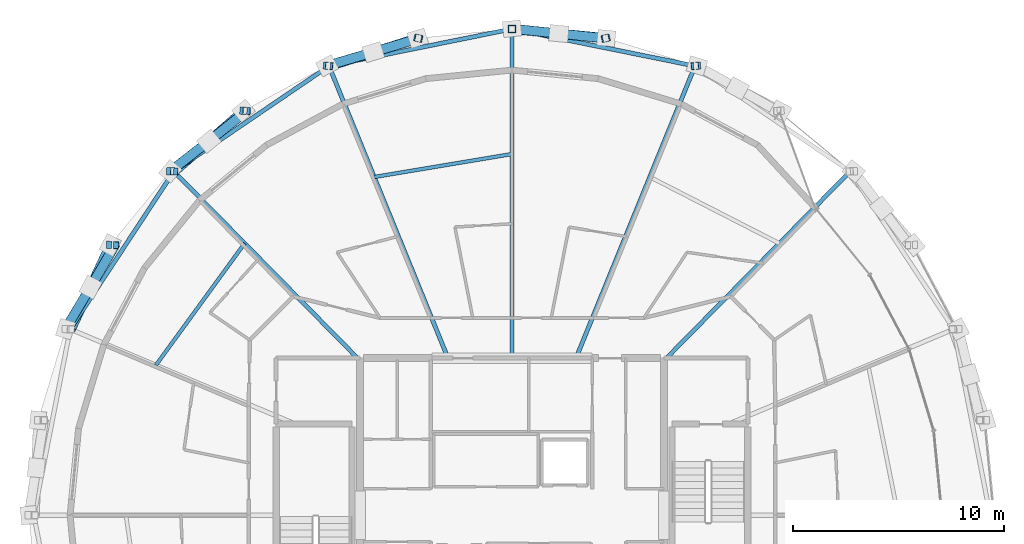
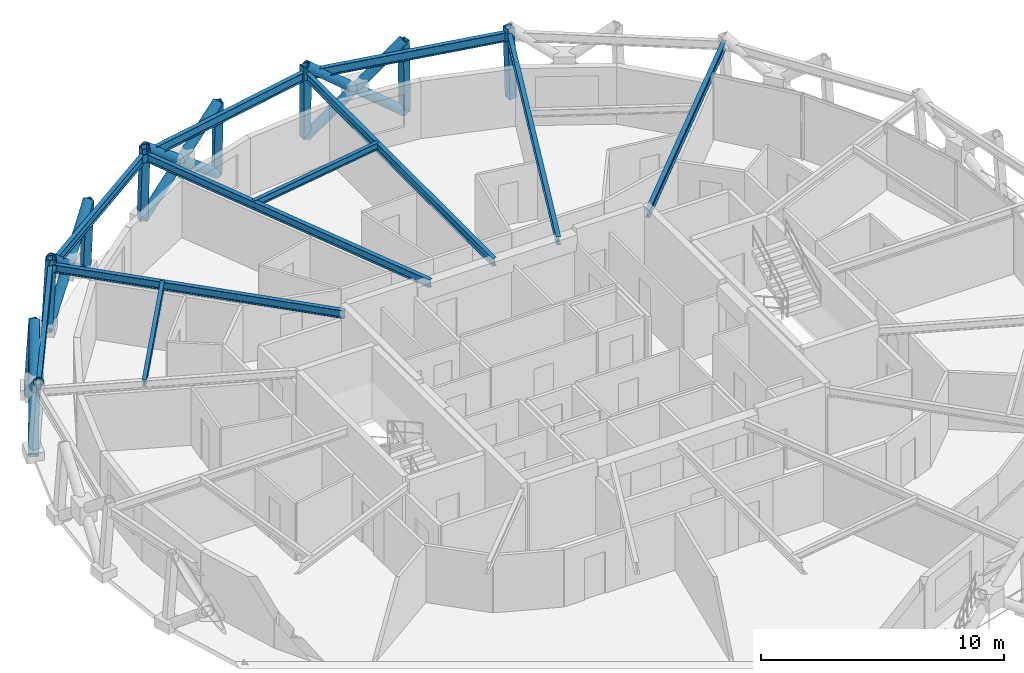
# One storey, part 7 of 15: 20 members, 11 beams.
"""IFC4 building model written with IfcOpenShell, lengths in metres."""

import ifcopenshell
import ifcopenshell.guid

model = None  # the IFC model being written
_history = None  # IfcOwnerHistory: only IFC2X3 demands one
_inside = {}  # id of a spatial element -> (the spatial element, [elements in it])
_under = {}  # id of a project, library or spatial element -> (it, [spatial elements below it])
_declared = {}  # id of a project -> (the project, [libraries it declares])
_typed = {}  # id of a type object -> (the type object, [elements of that type])
_made_of = {}  # id of a material, layer set ... -> (it, [elements and type objects made of it])


def new_model(schema):
    """Start an empty IFC model of exactly this schema.

    Asked for "IFC4X3", IfcOpenShell would pick the latest addendum, in which some entities
    have other attributes; the version numbers below select the first issue.
    IFC2X3 requires an IfcOwnerHistory on every rooted entity: one is made here for all.
    """
    global model, _history
    if schema == "IFC4X3":
        model = ifcopenshell.file(schema_version=(4, 3, 0, 0))
    else:
        model = ifcopenshell.file(schema=schema)
    _inside.clear()
    _under.clear()
    _declared.clear()
    _typed.clear()
    _made_of.clear()
    _history = None
    if model.schema == "IFC2X3":
        org = make("IfcOrganization", Name="unknown")
        user = make(
            "IfcPersonAndOrganization",
            ThePerson=make("IfcPerson", FamilyName="unknown"),
            TheOrganization=org,
        )
        app = make(
            "IfcApplication",
            ApplicationDeveloper=org,
            Version="unknown",
            ApplicationFullName="unknown",
            ApplicationIdentifier="unknown",
        )
        _history = make(
            "IfcOwnerHistory",
            OwningUser=user,
            OwningApplication=app,
            ChangeAction="ADDED",
            CreationDate=0,
        )
    return model


def make(cls, **values):
    """One entity of the class cls with the attributes given. An attribute that is None is left unset."""
    return model.create_entity(
        cls, **{name: value for name, value in values.items() if value is not None}
    )


def rooted(cls, **values):
    """An entity with a GlobalId (a new one), such as an element, a storey or a relation."""
    return make(cls, GlobalId=ifcopenshell.guid.new(), OwnerHistory=_history, **values)


def si_unit(unit_type, name, prefix=None):
    """IfcSIUnit, for example si_unit("LENGTHUNIT", "METRE", prefix="MILLI")."""
    return make("IfcSIUnit", UnitType=unit_type, Prefix=prefix, Name=name)


def assignment(units):
    """IfcUnitAssignment: the units of a project."""
    return None if units is None else make("IfcUnitAssignment", Units=units)


def point(xyz):
    """IfcCartesianPoint."""
    return None if xyz is None else make("IfcCartesianPoint", Coordinates=xyz)


def direction(xyz):
    """IfcDirection."""
    return None if xyz is None else make("IfcDirection", DirectionRatios=xyz)


def frame(location, z_axis=None, x_axis=None):
    """IfcAxis2Placement3D, a coordinate frame: its origin and axes. An axis left out is left unset."""
    return make(
        "IfcAxis2Placement3D",
        Location=point(location),
        Axis=direction(z_axis),
        RefDirection=direction(x_axis),
    )


def frame_2d(location, x_axis=None):
    """IfcAxis2Placement2D, a coordinate frame in the plane: its origin and x axis."""
    return make(
        "IfcAxis2Placement2D", Location=point(location), RefDirection=direction(x_axis)
    )


def origin():
    """The frame at (0, 0, 0) with its axes left unset."""
    return frame((0.0, 0.0, 0.0))


def origin_2d():
    """The frame at (0, 0) in the plane with its x axis left unset."""
    return frame_2d((0.0, 0.0))


def place(relative_to, where):
    """IfcLocalPlacement: puts the frame where relative to a parent placement (None: the world)."""
    return make(
        "IfcLocalPlacement", PlacementRelTo=relative_to, RelativePlacement=where
    )


def context(
    kind, dimensions, precision=None, world=None, true_north=None, identifier=None
):
    """IfcGeometricRepresentationContext, for example the 3D "Model" context."""
    return make(
        "IfcGeometricRepresentationContext",
        ContextIdentifier=identifier,
        ContextType=kind,
        CoordinateSpaceDimension=dimensions,
        Precision=precision,
        WorldCoordinateSystem=world,
        TrueNorth=true_north,
    )


def subcontext(parent, identifier, kind, view, scale=None):
    """IfcGeometricRepresentationSubContext, for example "Body" below "Model"."""
    return make(
        "IfcGeometricRepresentationSubContext",
        ContextIdentifier=identifier,
        ContextType=kind,
        ParentContext=parent,
        TargetScale=scale,
        TargetView=view,
    )


def project(units=None, contexts=None):
    """IfcProject with its units and contexts."""
    return rooted(
        "IfcProject",
        Name="project",
        RepresentationContexts=contexts,
        UnitsInContext=assignment(units),
    )


def spatial(cls, under=None, at=None, **own):
    """A site, building, storey or space (cls), placed at a placement, below another one or the project."""
    s = rooted(cls, ObjectPlacement=at, **own)
    if under is not None:
        _under.setdefault(under.id(), (under, []))[1].append(s)
    return s


def profile(cls, at=None, kind="AREA", **sizes):
    """A parametric profile (cls). Its sizes go by their IFC names, for example OverallWidth=200.0."""
    return make(cls, ProfileType=kind, Position=at, **sizes)


def hollow_rectangle(**sizes):
    """IfcRectangleHollowProfileDef."""
    return profile("IfcRectangleHollowProfileDef", **sizes)


def hollow_circle(**sizes):
    """IfcCircleHollowProfileDef."""
    return profile("IfcCircleHollowProfileDef", **sizes)


def i_section(**sizes):
    """IfcIShapeProfileDef."""
    return profile("IfcIShapeProfileDef", **sizes)


def extrude(swept, where, along, depth):
    """IfcExtrudedAreaSolid: the profile swept, set in the frame where, extruded along a direction by depth."""
    return make(
        "IfcExtrudedAreaSolid",
        SweptArea=swept,
        Position=where,
        ExtrudedDirection=direction(along),
        Depth=depth,
    )


def shape(context_of_items, identifier, shape_type, items):
    """IfcShapeRepresentation: the items that make up one representation, for example the "Body"."""
    return make(
        "IfcShapeRepresentation",
        ContextOfItems=context_of_items,
        RepresentationIdentifier=identifier,
        RepresentationType=shape_type,
        Items=items,
    )


def material(Name=None, Category=None):
    """IfcMaterial."""
    return make("IfcMaterial", Name=Name, Category=Category)


def material_profile(
    of_material, cross_section, Name=None, Category=None, Priority=None
):
    """IfcMaterialProfile: a cross section and its material."""
    return make(
        "IfcMaterialProfile",
        Name=Name,
        Material=of_material,
        Profile=cross_section,
        Priority=Priority,
        Category=Category,
    )


def profile_set(profiles, Name=None, composite=None):
    """IfcMaterialProfileSet."""
    return make(
        "IfcMaterialProfileSet",
        Name=Name,
        MaterialProfiles=profiles,
        CompositeProfile=composite,
    )


def made_of(thing, what):
    """Note that an element or type object is made of a material, layer set ...; save() writes the relation."""
    if what is not None:
        _made_of.setdefault(what.id(), (what, []))[1].append(thing)
    return thing


def type_object(cls, material=None, **own):
    """A type object (cls), such as IfcWallType, which elements share."""
    return made_of(rooted(cls, **own), material)


def element(
    cls,
    number,
    at=None,
    inside=None,
    cuts=None,
    type_object=None,
    material=None,
    context=None,
    identifier="Body",
    shape_type=None,
    held_by="IfcProductDefinitionShape",
    body=None,
    shapes=None,
    **own,
):
    """One element of the class cls, such as IfcWall. Its Tag is "e" and its number.

    at: its placement. inside: the storey or other place that contains it. cuts: it is an
    opening in that element (IfcRelVoidsElement). A single representation is given by context,
    identifier, shape_type and body (its items); several are given by shapes. held_by: the class
    of the entity that holds the representations. save() writes the other relations.
    """
    e = rooted(cls, Tag="e%d" % number, ObjectPlacement=at, **own)
    if body is not None:
        shapes = [shape(context, identifier, shape_type, body)]
    if shapes is not None:
        e.Representation = make(held_by, Representations=shapes)
    if inside is not None:
        _inside.setdefault(inside.id(), (inside, []))[1].append(e)
    if cuts is not None:
        rooted(
            "IfcRelVoidsElement", RelatingBuildingElement=cuts, RelatedOpeningElement=e
        )
    if type_object is not None:
        _typed.setdefault(type_object.id(), (type_object, []))[1].append(e)
    return made_of(e, material)


def aggregate(whole, parts):
    """IfcRelAggregates: a whole, such as a stair, and the parts it consists of."""
    return rooted("IfcRelAggregates", RelatingObject=whole, RelatedObjects=parts)


def save(model, path):
    """Write the relations noted so far, then the file.

    IfcRelAggregates (storeys below a building ...), IfcRelContainedInSpatialStructure (elements
    in a storey), IfcRelDefinesByType, IfcRelAssociatesMaterial and IfcRelDeclares: one each for
    every whole, place, type object, material and project.
    """
    for whole, parts in _under.values():
        aggregate(whole, parts)
    for where, things in _inside.values():
        rooted(
            "IfcRelContainedInSpatialStructure",
            RelatedElements=things,
            RelatingStructure=where,
        )
    for kind, things in _typed.values():
        rooted("IfcRelDefinesByType", RelatedObjects=things, RelatingType=kind)
    for what, things in _made_of.values():
        rooted("IfcRelAssociatesMaterial", RelatedObjects=things, RelatingMaterial=what)
    for by, libraries in _declared.values():
        rooted("IfcRelDeclares", RelatingContext=by, RelatedDefinitions=libraries)
    model.write(path)


model = new_model("IFC4")

# Units and contexts
model_context = context("Model", 3, precision=1e-05, world=origin(), true_north=direction((0.0, 1.0)))
body_context = subcontext(model_context, "Body", "Model", "MODEL_VIEW")
ifc_project = project(units=[si_unit("LENGTHUNIT", "METRE"), si_unit("AREAUNIT", "SQUARE_METRE"), si_unit("VOLUMEUNIT", "CUBIC_METRE"), si_unit("PLANEANGLEUNIT", "RADIAN"), si_unit("MASSUNIT", "GRAM", prefix="KILO")], contexts=[model_context])

# Site, building, storey
site_placement = place(None, origin())
site = spatial("IfcSite", under=ifc_project, at=site_placement, CompositionType="ELEMENT")
building_placement = place(site_placement, origin())
building = spatial("IfcBuilding", under=site, at=building_placement, Name="Veldorina Hangang Commons", CompositionType="ELEMENT")
storey_placement = place(building_placement, frame((0.0, 0.0, 250.800048828125)))
storey = spatial("IfcBuildingStorey", under=building, at=storey_placement, Name="L65", CompositionType="ELEMENT", Elevation=250.800048828125)

# Beams
ifc_material = material(Name="Steel SM355-TMC", Category="steel")
ifc_material_profile_1 = material_profile(ifc_material, i_section(OverallWidth=0.199951171875, OverallDepth=0.39990234375, WebThickness=0.008056640625, FlangeThickness=0.012939453125, FilletRadius=0.012939453125, at=origin_2d()), Name="H-400x200x8x13")
ifc_profile_set_1 = profile_set([ifc_material_profile_1], Name="Steel SM355-TMC")
beam_type_1 = type_object("IfcBeamType", Name="BM-FG400", PredefinedType="BEAM", material=ifc_profile_set_1)
beam_1_placement = place(storey_placement, frame((39.199951171875, 31.3212890625, 3.159912109375), z_axis=(0.701176597394, 0.712987643138, 0.0), x_axis=(-0.712987643138, 0.701176597394, 0.0)))
element("IfcBeam", 1, at=beam_1_placement, inside=storey, type_object=beam_type_1, Name="L65 radial floor girder 03", PredefinedType="BEAM", context=body_context, shape_type="SweptSolid", body=[
    extrude(i_section(OverallWidth=0.199951171875, OverallDepth=0.39990234375, WebThickness=0.008056640625, FlangeThickness=0.012939453125, FilletRadius=0.012939453125, at=origin_2d()), origin(), (0.0, 0.0, 1.0), 12.58837890625),
])
beam_2_placement = place(storey_placement, frame((35.034912109375, 31.449951171875, 3.159912109375), z_axis=(0.377240852763, 0.926115186684, 0.0), x_axis=(-0.926115186684, 0.377240852763, 0.0)))
element("IfcBeam", 2, at=beam_2_placement, inside=storey, type_object=beam_type_1, Name="L65 radial floor girder 04", PredefinedType="BEAM", context=body_context, shape_type="SweptSolid", body=[
    extrude(i_section(OverallWidth=0.199951171875, OverallDepth=0.39990234375, WebThickness=0.008056640625, FlangeThickness=0.012939453125, FilletRadius=0.012939453125, at=origin_2d()), origin(), (0.0, 0.0, 1.0), 14.947021484375),
])
beam_3_placement = place(storey_placement, frame((32.0, 31.449951171875, 3.159912109375), z_axis=(0.0, 1.0, 0.0), x_axis=(-1.0, 0.0, 0.0)))
element("IfcBeam", 3, at=beam_3_placement, inside=storey, type_object=beam_type_1, Name="L65 radial floor girder 05", PredefinedType="BEAM", context=body_context, shape_type="SweptSolid", body=[
    extrude(i_section(OverallWidth=0.199951171875, OverallDepth=0.39990234375, WebThickness=0.008056640625, FlangeThickness=0.012939453125, FilletRadius=0.012939453125, at=origin_2d()), origin(), (0.0, 0.0, 1.0), 15.59716796875),
])
beam_4_placement = place(storey_placement, frame((28.965087890625, 31.449951171875, 3.159912109375), z_axis=(-0.377240852763, 0.926115186684, 0.0), x_axis=(-0.926115186684, -0.377240852763, 0.0)))
element("IfcBeam", 4, at=beam_4_placement, inside=storey, type_object=beam_type_1, Name="L65 radial floor girder 06", PredefinedType="BEAM", context=body_context, shape_type="SweptSolid", body=[
    extrude(i_section(OverallWidth=0.199951171875, OverallDepth=0.39990234375, WebThickness=0.008056640625, FlangeThickness=0.012939453125, FilletRadius=0.012939453125, at=origin_2d()), origin(), (0.0, 0.0, 1.0), 14.947021484375),
])
beam_5_placement = place(storey_placement, frame((24.800048828125, 31.3212890625, 3.159912109375), z_axis=(-0.701176597394, 0.712987643138, 0.0), x_axis=(-0.712987643138, -0.701176597394, 0.0)))
element("IfcBeam", 5, at=beam_5_placement, inside=storey, type_object=beam_type_1, Name="L65 radial floor girder 07", PredefinedType="BEAM", context=body_context, shape_type="SweptSolid", body=[
    extrude(i_section(OverallWidth=0.199951171875, OverallDepth=0.39990234375, WebThickness=0.008056640625, FlangeThickness=0.012939453125, FilletRadius=0.012939453125, at=origin_2d()), origin(), (0.0, 0.0, 1.0), 12.58837890625),
])
ifc_material_profile_2 = material_profile(ifc_material, i_section(OverallWidth=0.175048828125, OverallDepth=0.35009765625, WebThickness=0.007080078125, FlangeThickness=0.010986328125, FilletRadius=0.012939453125, at=origin_2d()), Name="H-350x175x7x11")
ifc_profile_set_2 = profile_set([ifc_material_profile_2], Name="Steel SM355-TMC")
beam_type_2 = type_object("IfcBeamType", Name="BM-JST350", PredefinedType="JOIST", material=ifc_profile_set_2)
beam_6_placement = place(storey_placement, frame((32.0, 41.1201171875, 3.18505859375), z_axis=(-0.986414844293, -0.164273415249, 0.0), x_axis=(0.164273415249, -0.986414844293, 0.0)))
element("IfcBeam", 6, at=beam_6_placement, inside=storey, type_object=beam_type_2, Name="L65 secondary floor joist 05", PredefinedType="JOIST", context=body_context, shape_type="SweptSolid", body=[
    extrude(i_section(OverallWidth=0.175048828125, OverallDepth=0.35009765625, WebThickness=0.007080078125, FlangeThickness=0.010986328125, FilletRadius=0.012939453125, at=origin_2d()), origin(), (0.0, 0.0, 1.0), 6.620849609375),
])
beam_7_placement = place(storey_placement, frame((19.327392578125, 36.885986328125, 3.18505859375), z_axis=(-0.588785005831, -0.808289686257, 0.0), x_axis=(0.808289686257, -0.588785005831, 0.0)))
element("IfcBeam", 7, at=beam_7_placement, inside=storey, type_object=beam_type_2, Name="L65 secondary floor joist 07", PredefinedType="JOIST", context=body_context, shape_type="SweptSolid", body=[
    extrude(i_section(OverallWidth=0.175048828125, OverallDepth=0.35009765625, WebThickness=0.007080078125, FlangeThickness=0.010986328125, FilletRadius=0.012939453125, at=origin_2d()), origin(), (0.0, 0.0, 1.0), 7.14599609375),
])
ifc_material_profile_3 = material_profile(ifc_material, i_section(OverallWidth=0.199951171875, OverallDepth=0.449951171875, WebThickness=0.009033203125, FlangeThickness=0.013916015625, FilletRadius=0.01611328125, at=origin_2d()), Name="H-450x200x9x14")
ifc_profile_set_3 = profile_set([ifc_material_profile_3], Name="Steel SM355-TMC")
beam_type_3 = type_object("IfcBeamType", Name="BM-RB450", PredefinedType="BEAM", material=ifc_profile_set_3)
for number, where, z_axis, x_axis, name in (
    (8, (40.673583984375, 45.292724609375, 3.135009765625), (-0.980150716708, 0.198253808379, 0.0), (-0.198253808379, -0.980150716708, 0.0), "L65 perimeter hoop ring beam 06"),
    (9, (32.0, 47.047119140625, 3.135009765625), (-0.980150716708, -0.198253808379, 0.0), (0.198253808379, -0.980150716708, 0.0), "L65 perimeter hoop ring beam 08"),
):
    element("IfcBeam", number, at=place(storey_placement, frame(where, z_axis=z_axis, x_axis=x_axis)), inside=storey, type_object=beam_type_3, Name=name, PredefinedType="BEAM", context=body_context, shape_type="SweptSolid", body=[
        extrude(i_section(OverallWidth=0.199951171875, OverallDepth=0.449951171875, WebThickness=0.009033203125, FlangeThickness=0.013916015625, FilletRadius=0.01611328125, at=origin_2d()), origin(), (0.0, 0.0, 1.0), 8.84912109375),
    ])
beam_8_placement = place(storey_placement, frame((23.326416015625, 45.292724609375, 3.135009765625), z_axis=(-0.827133831343, -0.562005004469, 0.0), x_axis=(0.562005004469, -0.827133831343, 0.0)))
element("IfcBeam", 10, at=beam_8_placement, inside=storey, type_object=beam_type_3, Name="L65 perimeter hoop ring beam 10", PredefinedType="BEAM", context=body_context, shape_type="SweptSolid", body=[
    extrude(i_section(OverallWidth=0.199951171875, OverallDepth=0.449951171875, WebThickness=0.009033203125, FlangeThickness=0.013916015625, FilletRadius=0.01611328125, at=origin_2d()), origin(), (0.0, 0.0, 1.0), 8.8896484375),
])
beam_9_placement = place(storey_placement, frame((15.973388671875, 40.296630859375, 3.135009765625), z_axis=(-0.549165362874, -0.835713709484, 0.0), x_axis=(0.835713709484, -0.549165362874, 0.0)))
element("IfcBeam", 11, at=beam_9_placement, inside=storey, type_object=beam_type_3, Name="L65 perimeter hoop ring beam 12", PredefinedType="BEAM", context=body_context, shape_type="SweptSolid", body=[
    extrude(i_section(OverallWidth=0.199951171875, OverallDepth=0.449951171875, WebThickness=0.009033203125, FlangeThickness=0.013916015625, FilletRadius=0.01611328125, at=origin_2d()), origin(), (0.0, 0.0, 1.0), 8.947021484375),
])

# Members
ifc_material_profile_4 = material_profile(ifc_material, hollow_circle(Radius=0.22509765625, WallThickness=0.02197265625, at=origin_2d()), Name="CHS-450x22")
ifc_profile_set_4 = profile_set([ifc_material_profile_4], Name="Steel SM355-TMC")
member_type_1 = type_object("IfcMemberType", Name="DG-CHS450", PredefinedType="BRACE", material=ifc_profile_set_4)
member_1_placement = place(storey_placement, frame((36.468505859375, 46.614501953125, 0.0), z_axis=(-0.776548344545, 0.074884326511, 0.625591724871), x_axis=(-0.095987011164, -0.995382586591, 0.0)))
element("IfcMember", 12, at=member_1_placement, inside=storey, type_object=member_type_1, Name="L65 continuous perimeter diagrid brace 07", PredefinedType="BRACE", context=body_context, shape_type="SweptSolid", body=[
    extrude(hollow_circle(Radius=0.22509765625, WallThickness=0.02197265625, at=origin_2d()), origin(), (0.0, 0.0, 1.0), 5.75439453125),
])
member_2_placement = place(storey_placement, frame((32.0, 47.0576171875, 0.0), z_axis=(0.7726358699, -0.078732928592, 0.629948361773), x_axis=(0.101376739095, 0.994848107386, 0.0)))
element("IfcMember", 13, at=member_2_placement, inside=storey, type_object=member_type_1, Name="L65 split perimeter diagrid lower brace 08", PredefinedType="BRACE", context=body_context, shape_type="SweptSolid", body=[
    extrude(hollow_circle(Radius=0.22509765625, WallThickness=0.02197265625, at=origin_2d()), origin(), (0.0, 0.0, 1.0), 2.87451171875),
])
member_3_placement = place(storey_placement, frame((34.220947265625, 46.831298828125, 1.810791015625), z_axis=(0.772465692105, -0.080461594459, 0.629938636962), x_axis=(0.103601521872, 0.994618884129, 0.0)))
element("IfcMember", 14, at=member_3_placement, inside=storey, type_object=member_type_1, Name="L65 split perimeter diagrid upper brace 08", PredefinedType="BRACE", context=body_context, shape_type="SweptSolid", body=[
    extrude(hollow_circle(Radius=0.22509765625, WallThickness=0.02197265625, at=origin_2d()), origin(), (0.0, 0.0, 1.0), 2.840087890625),
])
member_4_placement = place(storey_placement, frame((27.531494140625, 46.614501953125, 0.0), z_axis=(-0.737747561908, -0.232909586763, 0.633625803841), x_axis=(0.301056933172, -0.953606167655, 0.0)))
element("IfcMember", 15, at=member_4_placement, inside=storey, type_object=member_type_1, Name="L65 continuous perimeter diagrid brace 09", PredefinedType="BRACE", context=body_context, shape_type="SweptSolid", body=[
    extrude(hollow_circle(Radius=0.22509765625, WallThickness=0.02197265625, at=origin_2d()), origin(), (0.0, 0.0, 1.0), 5.681396484375),
])
member_5_placement = place(storey_placement, frame((23.234619140625, 45.302490234375, 0.0), z_axis=(0.751494721189, 0.221979205668, 0.62127362432), x_axis=(-0.283283551415, 0.959036198221, 0.0)))
element("IfcMember", 16, at=member_5_placement, inside=storey, type_object=member_type_1, Name="L65 split perimeter diagrid lower brace 10", PredefinedType="BRACE", context=body_context, shape_type="SweptSolid", body=[
    extrude(hollow_circle(Radius=0.22509765625, WallThickness=0.02197265625, at=origin_2d()), origin(), (0.0, 0.0, 1.0), 2.91357421875),
])
member_6_placement = place(storey_placement, frame((25.424072265625, 45.94921875, 1.81005859375), z_axis=(0.750094631249, 0.226841767719, 0.621209189074), x_axis=(-0.289470144005, 0.957187043231, 0.0)))
element("IfcMember", 17, at=member_6_placement, inside=storey, type_object=member_type_1, Name="L65 split perimeter diagrid upper brace 10", PredefinedType="BRACE", context=body_context, shape_type="SweptSolid", body=[
    extrude(hollow_circle(Radius=0.22509765625, WallThickness=0.02197265625, at=origin_2d()), origin(), (0.0, 0.0, 1.0), 2.881103515625),
])
member_7_placement = place(storey_placement, frame((19.274658203125, 43.171630859375, 0.0), z_axis=(-0.579475783235, -0.508698466839, 0.636736748178), x_axis=(0.659720954869, -0.751510653089, 0.0)))
element("IfcMember", 18, at=member_7_placement, inside=storey, type_object=member_type_1, Name="L65 continuous perimeter diagrid brace 11", PredefinedType="BRACE", context=body_context, shape_type="SweptSolid", body=[
    extrude(hollow_circle(Radius=0.22509765625, WallThickness=0.02197265625, at=origin_2d()), origin(), (0.0, 0.0, 1.0), 5.653564453125),
])
member_8_placement = place(storey_placement, frame((15.8037109375, 40.30419921875, 0.0), z_axis=(0.621903057477, 0.484773557966, 0.615005028108), x_axis=(-0.614786687775, 0.788693431274, 0.0)))
element("IfcMember", 19, at=member_8_placement, inside=storey, type_object=member_type_1, Name="L65 split perimeter diagrid lower brace 12", PredefinedType="BRACE", context=body_context, shape_type="SweptSolid", body=[
    extrude(hollow_circle(Radius=0.22509765625, WallThickness=0.02197265625, at=origin_2d()), origin(), (0.0, 0.0, 1.0), 2.9375),
])
member_9_placement = place(storey_placement, frame((17.630615234375, 41.728271484375, 1.806640625), z_axis=(0.616416179252, 0.491642356798, 0.615076326125), x_axis=(-0.623541631746, 0.781790146701, 0.0)))
element("IfcMember", 20, at=member_9_placement, inside=storey, type_object=member_type_1, Name="L65 split perimeter diagrid upper brace 12", PredefinedType="BRACE", context=body_context, shape_type="SweptSolid", body=[
    extrude(hollow_circle(Radius=0.22509765625, WallThickness=0.02197265625, at=origin_2d()), origin(), (0.0, 0.0, 1.0), 2.91552734375),
])
member_10_placement = place(storey_placement, frame((12.955078125, 36.81005859375, 0.0), z_axis=(-0.32736300695, -0.701639317506, 0.63287892192), x_axis=(0.906217127206, -0.422812627956, 0.0)))
element("IfcMember", 21, at=member_10_placement, inside=storey, type_object=member_type_1, Name="L65 continuous perimeter diagrid brace 13", PredefinedType="BRACE", context=body_context, shape_type="SweptSolid", body=[
    extrude(hollow_circle(Radius=0.22509765625, WallThickness=0.02197265625, at=origin_2d()), origin(), (0.0, 0.0, 1.0), 5.68798828125),
])
member_11_placement = place(storey_placement, frame((10.83837890625, 32.82373046875, 0.0), z_axis=(0.403762665165, 0.677682049016, 0.614591531556), x_axis=(-0.859080814434, 0.511839969396, 0.0)))
element("IfcMember", 22, at=member_11_placement, inside=storey, type_object=member_type_1, Name="L65 split perimeter diagrid lower brace 14", PredefinedType="BRACE", context=body_context, shape_type="SweptSolid", body=[
    extrude(hollow_circle(Radius=0.22509765625, WallThickness=0.02197265625, at=origin_2d()), origin(), (0.0, 0.0, 1.0), 2.93310546875),
])
member_12_placement = place(storey_placement, frame((12.022705078125, 34.8115234375, 1.802734375), z_axis=(0.39726915674, 0.681378820653, 0.614735813068), x_axis=(-0.863890247786, 0.503680096669, 0.0)))
element("IfcMember", 23, at=member_12_placement, inside=storey, type_object=member_type_1, Name="L65 split perimeter diagrid upper brace 14", PredefinedType="BRACE", context=body_context, shape_type="SweptSolid", body=[
    extrude(hollow_circle(Radius=0.22509765625, WallThickness=0.02197265625, at=origin_2d()), origin(), (0.0, 0.0, 1.0), 2.92333984375),
])
ifc_material_profile_5 = material_profile(ifc_material, hollow_rectangle(XDim=0.35009765625, YDim=0.35009765625, WallThickness=0.01611328125, at=origin_2d()), Name="SHS-350x350x16")
ifc_profile_set_5 = profile_set([ifc_material_profile_5], Name="Steel SM355-TMC")
member_type_2 = type_object("IfcMemberType", Name="STR-SHS350", PredefinedType="STRUT", material=ifc_profile_set_5)
member_13_placement = place(storey_placement, frame((40.765380859375, 45.302490234375, 0.0), z_axis=(-0.029285358453, -0.003118348354, 0.999566227763), x_axis=(0.10588290701, -0.99437860496, 0.0)))
element("IfcMember", 24, at=member_13_placement, inside=storey, type_object=member_type_2, Name="L65 perimeter ring node post 06", PredefinedType="STRUT", context=body_context, shape_type="SweptSolid", body=[
    extrude(hollow_rectangle(XDim=0.35009765625, YDim=0.35009765625, WallThickness=0.01611328125, at=origin_2d()), origin(), (0.0, 0.0, 1.0), 3.601318359375),
])
member_14_placement = place(storey_placement, frame((36.468505859375, 46.614501953125, 0.0), z_axis=(-0.014918572469, -0.003254961266, 0.999883413915), x_axis=(0.213167075217, -0.97701576141, 0.0)))
element("IfcMember", 25, at=member_14_placement, inside=storey, type_object=member_type_2, Name="L65 perimeter ring node post 07", PredefinedType="STRUT", context=body_context, shape_type="SweptSolid", body=[
    extrude(hollow_rectangle(XDim=0.35009765625, YDim=0.35009765625, WallThickness=0.01611328125, at=origin_2d()), origin(), (0.0, 0.0, 1.0), 3.600341796875),
])
member_15_placement = place(storey_placement, frame((32.0, 47.0576171875, 0.0), z_axis=(0.0, -0.003390960497, 0.999994250677), x_axis=(1.0, 0.0, 0.0)))
element("IfcMember", 26, at=member_15_placement, inside=storey, type_object=member_type_2, Name="L65 perimeter ring node post 08", PredefinedType="STRUT", context=body_context, shape_type="SweptSolid", body=[
    extrude(hollow_rectangle(XDim=0.35009765625, YDim=0.35009765625, WallThickness=0.01611328125, at=origin_2d()), origin(), (0.0, 0.0, 1.0), 3.599853515625),
])
member_16_placement = place(storey_placement, frame((27.531494140625, 46.614501953125, 0.0), z_axis=(0.014918572469, -0.003254961266, 0.999883413915), x_axis=(0.213167075217, 0.97701576141, 0.0)))
element("IfcMember", 27, at=member_16_placement, inside=storey, type_object=member_type_2, Name="L65 perimeter ring node post 09", PredefinedType="STRUT", context=body_context, shape_type="SweptSolid", body=[
    extrude(hollow_rectangle(XDim=0.35009765625, YDim=0.35009765625, WallThickness=0.01611328125, at=origin_2d()), origin(), (0.0, 0.0, 1.0), 3.600341796875),
])
member_17_placement = place(storey_placement, frame((23.234619140625, 45.302490234375, 0.0), z_axis=(0.029285358453, -0.003118348354, 0.999566227763), x_axis=(0.10588290701, 0.99437860496, 0.0)))
element("IfcMember", 28, at=member_17_placement, inside=storey, type_object=member_type_2, Name="L65 perimeter ring node post 10", PredefinedType="STRUT", context=body_context, shape_type="SweptSolid", body=[
    extrude(hollow_rectangle(XDim=0.35009765625, YDim=0.35009765625, WallThickness=0.01611328125, at=origin_2d()), origin(), (0.0, 0.0, 1.0), 3.601318359375),
])
member_18_placement = place(storey_placement, frame((19.274658203125, 43.171630859375, 0.0), z_axis=(0.04248433237, -0.00277808234, 0.999093270802), x_axis=(0.065251392563, 0.997868856999, 0.0)))
element("IfcMember", 29, at=member_18_placement, inside=storey, type_object=member_type_2, Name="L65 perimeter ring node post 11", PredefinedType="STRUT", context=body_context, shape_type="SweptSolid", body=[
    extrude(hollow_rectangle(XDim=0.35009765625, YDim=0.35009765625, WallThickness=0.01611328125, at=origin_2d()), origin(), (0.0, 0.0, 1.0), 3.60302734375),
])
member_19_placement = place(storey_placement, frame((15.8037109375, 40.30419921875, 0.0), z_axis=(0.054040804353, -0.002370210717, 0.998535915011), x_axis=(0.043817524169, 0.999039551057, 0.0)))
element("IfcMember", 30, at=member_19_placement, inside=storey, type_object=member_type_2, Name="L65 perimeter ring node post 12", PredefinedType="STRUT", context=body_context, shape_type="SweptSolid", body=[
    extrude(hollow_rectangle(XDim=0.35009765625, YDim=0.35009765625, WallThickness=0.01611328125, at=origin_2d()), origin(), (0.0, 0.0, 1.0), 3.605224609375),
])
member_20_placement = place(storey_placement, frame((12.955078125, 36.81005859375, 0.0), z_axis=(0.063486348579, -0.001827432209, 0.997981033906), x_axis=(0.028772730747, 0.999585979276, 0.0)))
element("IfcMember", 31, at=member_20_placement, inside=storey, type_object=member_type_2, Name="L65 perimeter ring node post 13", PredefinedType="STRUT", context=body_context, shape_type="SweptSolid", body=[
    extrude(hollow_rectangle(XDim=0.35009765625, YDim=0.35009765625, WallThickness=0.01611328125, at=origin_2d()), origin(), (0.0, 0.0, 1.0), 3.607177734375),
])

save(model, "model.ifc")
